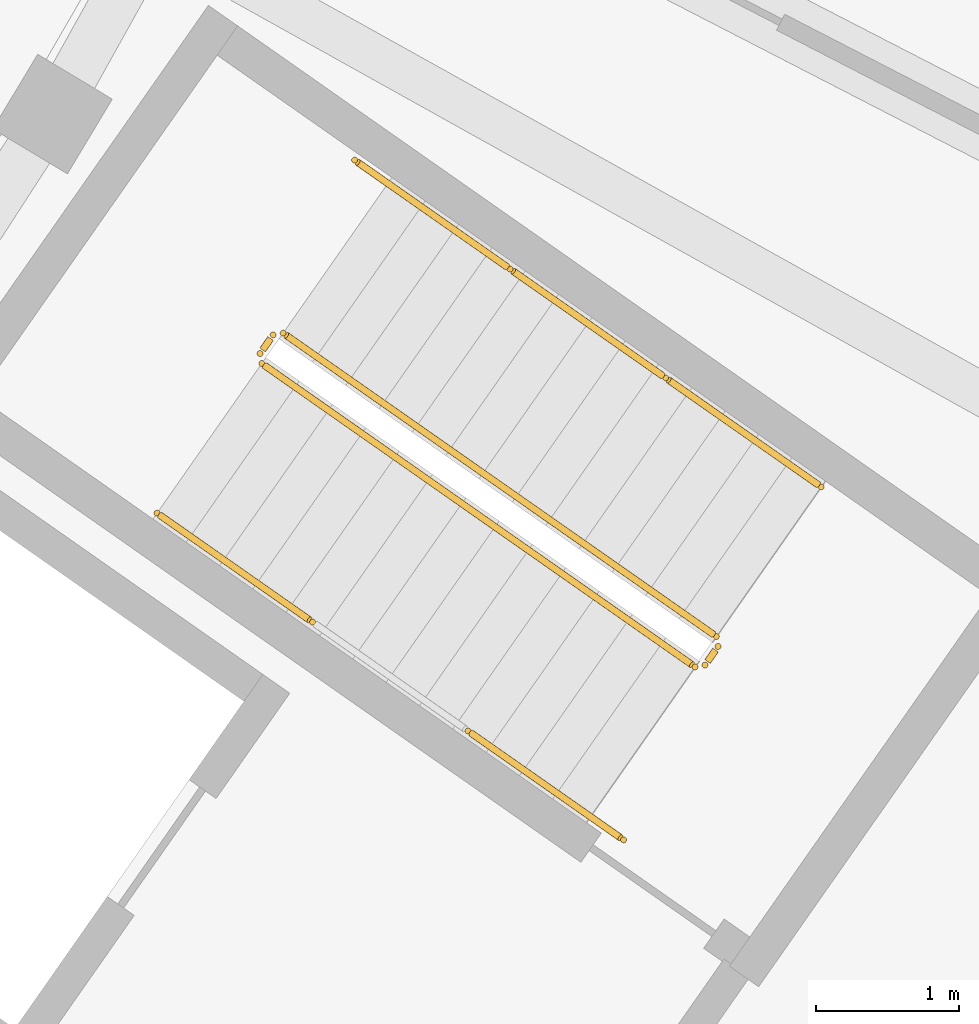
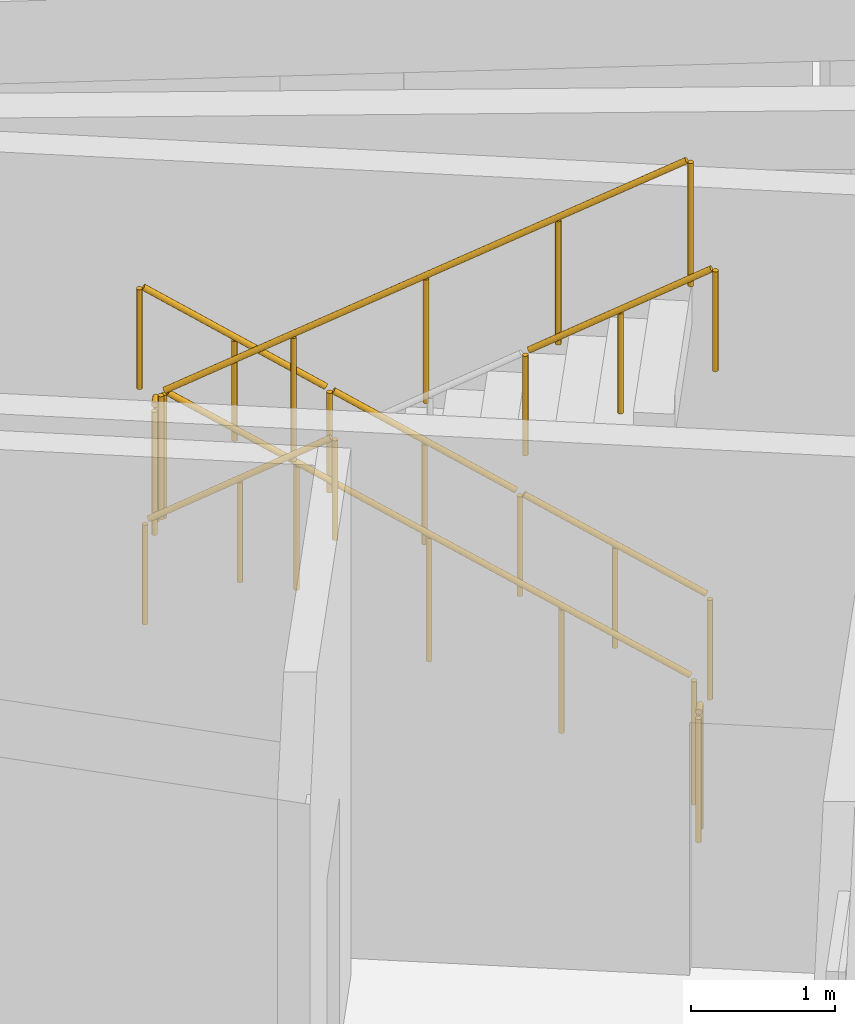
# One storey, part 129 of 132: 9 railings.
"""IFC4 building model written with IfcOpenShell, lengths in metres."""

from ifc_helpers import new_model, si_unit, direction, frame, origin, origin_2d, place, context, subcontext, project, spatial, circle, extrude, material, type_object, element, save


model = new_model("IFC4")

# Units and contexts
model_context = context("Model", 3, precision=1e-05, world=origin(), true_north=direction((0.0, 1.0)))
body_context = subcontext(model_context, "Body", "Model", "MODEL_VIEW")
ifc_project = project(units=[si_unit("LENGTHUNIT", "METRE"), si_unit("AREAUNIT", "SQUARE_METRE"), si_unit("VOLUMEUNIT", "CUBIC_METRE"), si_unit("PLANEANGLEUNIT", "RADIAN"), si_unit("MASSUNIT", "GRAM", prefix="KILO")], contexts=[model_context])

# Site, building, storey
site_placement = place(None, origin())
site = spatial("IfcSite", under=ifc_project, at=site_placement, CompositionType="ELEMENT")
building_placement = place(site_placement, origin())
building = spatial("IfcBuilding", under=site, at=building_placement, Name="Tanwirah Colonnade Gardens", CompositionType="ELEMENT")
storey_placement = place(building_placement, origin())
storey = spatial("IfcBuildingStorey", under=building, at=storey_placement, Name="L00", CompositionType="ELEMENT", Elevation=0.0)

# Railings
ifc_material_1 = material(Name="Powder-coated galvanized steel", Category="steel")
railing_type_1 = type_object("IfcRailingType", Name="GRD-ST110", PredefinedType="GUARDRAIL", material=ifc_material_1)
railing_1_placement = place(storey_placement, frame((163.751220703125, 37.94677734375, 0.169921875)))
element("IfcRailing", 1, at=railing_1_placement, inside=storey, type_object=railing_type_1, Name="L00 ST-D2 stair guard 1", PredefinedType="GUARDRAIL", context=body_context, shape_type="SweptSolid", body=[
    extrude(circle(Radius=0.02392578125, at=origin_2d()), frame((-0.02197265625, 0.015380859375, 1.092041015625), z_axis=(-0.703490082524, 0.492629810021, 0.512267092511), x_axis=(-0.573608275251, -0.819129749529, 0.0)), (0.0, 0.0, 1.0), 4.25146484375),
    extrude(circle(Radius=0.02099609375, at=origin_2d()), origin(), (0.0, 0.0, 1.0), 1.049072265625),
    extrude(circle(Radius=0.02099609375, at=origin_2d()), frame((-0.7587890625, 0.53125, 0.552490234375)), (0.0, 0.0, 1.0), 1.049072265625),
    extrude(circle(Radius=0.02099609375, at=origin_2d()), frame((-1.517578125, 1.0625, 1.10498046875)), (0.0, 0.0, 1.0), 1.049072265625),
    extrude(circle(Radius=0.02099609375, at=origin_2d()), frame((-2.276123046875, 1.593994140625, 1.657470703125)), (0.0, 0.0, 1.0), 1.049072265625),
    extrude(circle(Radius=0.02099609375, at=origin_2d()), frame((-3.034912109375, 2.125244140625, 2.2099609375)), (0.0, 0.0, 1.0), 1.049072265625),
])
railing_2_placement = place(storey_placement, frame((160.646484375, 40.0595703125, 2.3798828125)))
element("IfcRailing", 2, at=railing_2_placement, inside=storey, type_object=railing_type_1, Name="L00 ST-D2 stair guard 2", PredefinedType="GUARDRAIL", context=body_context, shape_type="SweptSolid", body=[
    extrude(circle(Radius=0.02392578125, at=origin_2d()), frame((-0.017822265625, -0.025634765625, 1.076171875), z_axis=(-0.573257133665, -0.819375529719, 0.0), x_axis=(0.819375529719, -0.573257133665, 0.0)), (0.0, 0.0, 1.0), 0.09716796875),
    extrude(circle(Radius=0.02099609375, at=origin_2d()), origin(), (0.0, 0.0, 1.0), 1.049072265625),
    extrude(circle(Radius=0.02099609375, at=origin_2d()), frame((-0.091552734375, -0.130859375, 0.0)), (0.0, 0.0, 1.0), 1.049072265625),
])
railing_3_placement = place(storey_placement, frame((160.567138671875, 39.85888671875, 2.550048828125)))
element("IfcRailing", 3, at=railing_3_placement, inside=storey, type_object=railing_type_1, Name="L00 ST-D2 stair guard 3", PredefinedType="GUARDRAIL", context=body_context, shape_type="SweptSolid", body=[
    extrude(circle(Radius=0.02392578125, at=origin_2d()), frame((0.02197265625, -0.015380859375, 1.092041015625), z_axis=(0.70350969461, -0.492586950518, 0.512281373631), x_axis=(0.573564059536, 0.819160710489, 0.0)), (0.0, 0.0, 1.0), 4.25146484375),
    extrude(circle(Radius=0.02099609375, at=origin_2d()), origin(), (0.0, 0.0, 1.0), 1.049072265625),
    extrude(circle(Radius=0.02099609375, at=origin_2d()), frame((0.7587890625, -0.53125, 0.552490234375)), (0.0, 0.0, 1.0), 1.049072265625),
    extrude(circle(Radius=0.02099609375, at=origin_2d()), frame((1.517578125, -1.0625, 1.10498046875)), (0.0, 0.0, 1.0), 1.049072265625),
    extrude(circle(Radius=0.02099609375, at=origin_2d()), frame((2.276123046875, -1.59375, 1.657470703125)), (0.0, 0.0, 1.0), 1.049072265625),
    extrude(circle(Radius=0.02099609375, at=origin_2d()), frame((3.034912109375, -2.125, 2.2099609375)), (0.0, 0.0, 1.0), 1.049072265625),
])
railing_4_placement = place(storey_placement, frame((163.763427734375, 37.877197265625, 0.0)))
element("IfcRailing", 4, at=railing_4_placement, inside=storey, type_object=railing_type_1, Name="L00 ST-D2 stair guard 4", PredefinedType="GUARDRAIL", context=body_context, shape_type="SweptSolid", body=[
    extrude(circle(Radius=0.02392578125, at=origin_2d()), frame((-0.017822265625, -0.025634765625, 1.076171875), z_axis=(-0.57356471828, -0.819160249246, 0.0), x_axis=(0.819160249246, -0.57356471828, 0.0)), (0.0, 0.0, 1.0), 0.097412109375),
    extrude(circle(Radius=0.02099609375, at=origin_2d()), origin(), (0.0, 0.0, 1.0), 1.049072265625),
    extrude(circle(Radius=0.02099609375, at=origin_2d()), frame((-0.091796875, -0.131103515625, 0.0)), (0.0, 0.0, 1.0), 1.049072265625),
])
ifc_material_2 = material(Name="Brushed bronze stainless steel", Category="steel")
railing_type_2 = type_object("IfcRailingType", Name="HR-ST090", PredefinedType="HANDRAIL", material=ifc_material_2)
railing_5_placement = place(storey_placement, frame((164.4853515625, 38.995361328125, 0.169921875)))
element("IfcRailing", 5, at=railing_5_placement, inside=storey, type_object=railing_type_2, Name="L00 ST-D2 stair handrail 1", PredefinedType="HANDRAIL", context=body_context, shape_type="SweptSolid", body=[
    extrude(circle(Radius=0.02392578125, at=origin_2d()), frame((-0.02197265625, 0.015380859375, 0.891845703125), z_axis=(-0.702053737774, 0.491689361395, 0.515133110146), x_axis=(-0.57365945101, -0.81909391053, 0.0)), (0.0, 0.0, 1.0), 1.4892578125),
    extrude(circle(Radius=0.02099609375, at=origin_2d()), origin(), (0.0, 0.0, 1.0), 0.848876953125),
    extrude(circle(Radius=0.02099609375, at=origin_2d()), frame((-0.544677734375, 0.38134765625, 0.399658203125)), (0.0, 0.0, 1.0), 0.848876953125),
    extrude(circle(Radius=0.02099609375, at=origin_2d()), frame((-1.08935546875, 0.762939453125, 0.79931640625)), (0.0, 0.0, 1.0), 0.848876953125),
])
railing_6_placement = place(storey_placement, frame((163.39599609375, 39.75830078125, 0.96923828125)))
element("IfcRailing", 6, at=railing_6_placement, inside=storey, type_object=railing_type_2, Name="L00 ST-D2 stair handrail 2", PredefinedType="HANDRAIL", context=body_context, shape_type="SweptSolid", body=[
    extrude(circle(Radius=0.02392578125, at=origin_2d()), frame((-0.02197265625, 0.015380859375, 0.891845703125), z_axis=(-0.702187819758, 0.491515740292, 0.515116047924), x_axis=(-0.573450024651, -0.81924054418, 0.0)), (0.0, 0.0, 1.0), 1.4892578125),
    extrude(circle(Radius=0.02099609375, at=origin_2d()), origin(), (0.0, 0.0, 1.0), 0.848876953125),
    extrude(circle(Radius=0.02099609375, at=origin_2d()), frame((-0.544921875, 0.38134765625, 0.399658203125)), (0.0, 0.0, 1.0), 0.848876953125),
    extrude(circle(Radius=0.02099609375, at=origin_2d()), frame((-1.089599609375, 0.7626953125, 0.79931640625)), (0.0, 0.0, 1.0), 0.848876953125),
])
railing_7_placement = place(storey_placement, frame((162.306396484375, 40.52099609375, 1.7685546875)))
element("IfcRailing", 7, at=railing_7_placement, inside=storey, type_object=railing_type_2, Name="L00 ST-D2 stair handrail 3", PredefinedType="HANDRAIL", context=body_context, shape_type="SweptSolid", body=[
    extrude(circle(Radius=0.02392578125, at=origin_2d()), frame((-0.02197265625, 0.015380859375, 0.891845703125), z_axis=(-0.7019968336, 0.491649508068, 0.515248684455), x_axis=(-0.57365945101, -0.81909391053, 0.0)), (0.0, 0.0, 1.0), 1.4892578125),
    extrude(circle(Radius=0.02099609375, at=origin_2d()), origin(), (0.0, 0.0, 1.0), 0.848876953125),
    extrude(circle(Radius=0.02099609375, at=origin_2d()), frame((-0.544677734375, 0.38134765625, 0.39990234375)), (0.0, 0.0, 1.0), 0.848876953125),
    extrude(circle(Radius=0.02099609375, at=origin_2d()), frame((-1.08935546875, 0.762939453125, 0.799560546875)), (0.0, 0.0, 1.0), 0.848876953125),
])
railing_8_placement = place(storey_placement, frame((159.8330078125, 38.810546875, 2.550048828125)))
element("IfcRailing", 8, at=railing_8_placement, inside=storey, type_object=railing_type_2, Name="L00 ST-D2 stair handrail 4", PredefinedType="HANDRAIL", context=body_context, shape_type="SweptSolid", body=[
    extrude(circle(Radius=0.02392578125, at=origin_2d()), frame((0.02197265625, -0.015380859375, 0.891845703125), z_axis=(0.702053737774, -0.491689361395, 0.515133110146), x_axis=(0.57365945101, 0.81909391053, 0.0)), (0.0, 0.0, 1.0), 1.4892578125),
    extrude(circle(Radius=0.02099609375, at=origin_2d()), origin(), (0.0, 0.0, 1.0), 0.848876953125),
    extrude(circle(Radius=0.02099609375, at=origin_2d()), frame((0.544677734375, -0.38134765625, 0.399658203125)), (0.0, 0.0, 1.0), 0.848876953125),
    extrude(circle(Radius=0.02099609375, at=origin_2d()), frame((1.08935546875, -0.762939453125, 0.79931640625)), (0.0, 0.0, 1.0), 0.848876953125),
])
railing_9_placement = place(storey_placement, frame((162.011962890625, 37.28466796875, 4.148681640625)))
element("IfcRailing", 9, at=railing_9_placement, inside=storey, type_object=railing_type_2, Name="L00 ST-D2 stair handrail 6", PredefinedType="HANDRAIL", context=body_context, shape_type="SweptSolid", body=[
    extrude(circle(Radius=0.02392578125, at=origin_2d()), frame((0.02197265625, -0.015380859375, 0.891845703125), z_axis=(0.702108048156, -0.49157004537, 0.51517296048), x_axis=(0.573536271031, 0.819180166882, 0.0)), (0.0, 0.0, 1.0), 1.489013671875),
    extrude(circle(Radius=0.02099609375, at=origin_2d()), origin(), (0.0, 0.0, 1.0), 0.848876953125),
    extrude(circle(Radius=0.02099609375, at=origin_2d()), frame((0.544677734375, -0.38134765625, 0.399658203125)), (0.0, 0.0, 1.0), 0.848876953125),
    extrude(circle(Radius=0.02099609375, at=origin_2d()), frame((1.08935546875, -0.7626953125, 0.79931640625)), (0.0, 0.0, 1.0), 0.848876953125),
])

save(model, "model.ifc")
